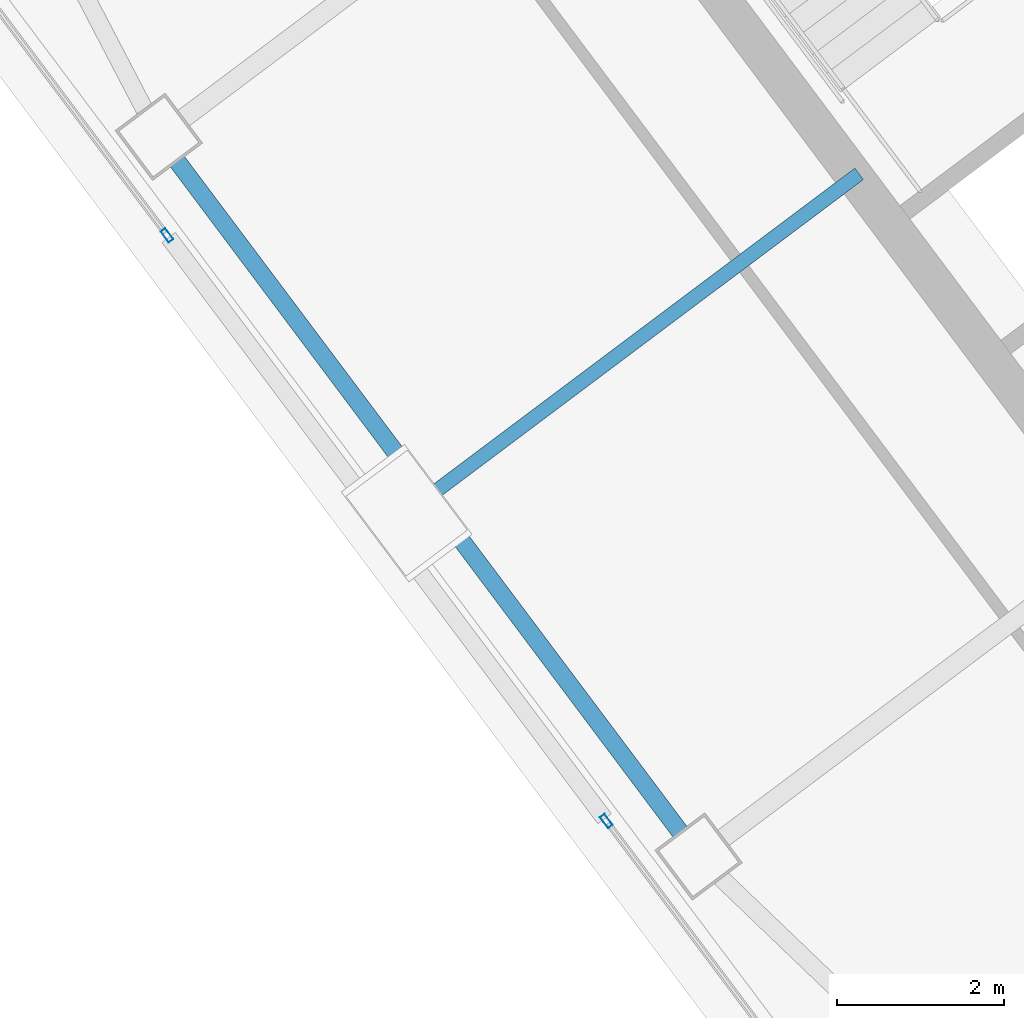
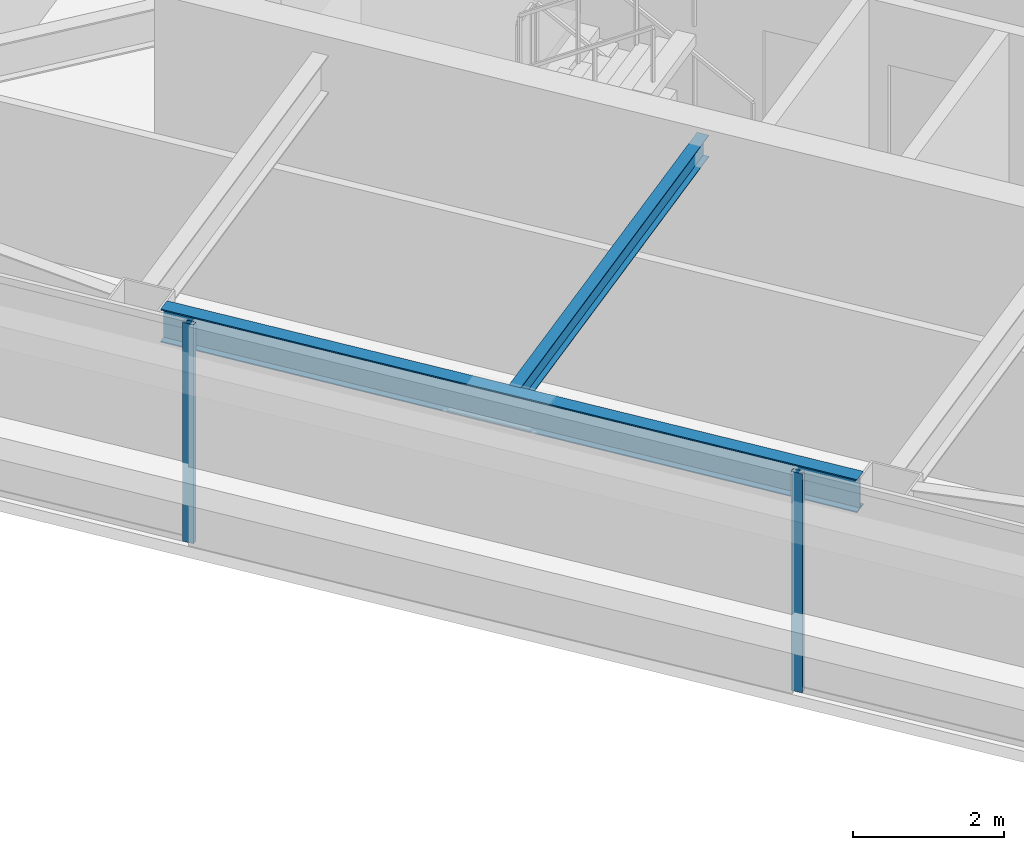
# One storey, part 16 of 39: 2 beams, 2 members, 2 elements without a shape of their own.
"""IFC4 building model written with IfcOpenShell, lengths in metres."""

from ifc_helpers import new_model, si_unit, direction, frame, origin, origin_2d, place, context, subcontext, project, spatial, hollow_rectangle, i_section, extrude, material, material_profile, profile_set, type_object, element, aggregate, save


model = new_model("IFC4")

# Units and contexts
model_context = context("Model", 3, precision=1e-05, world=origin(), true_north=direction((0.0, 1.0)))
body_context = subcontext(model_context, "Body", "Model", "MODEL_VIEW")
ifc_project = project(units=[si_unit("LENGTHUNIT", "METRE"), si_unit("AREAUNIT", "SQUARE_METRE"), si_unit("VOLUMEUNIT", "CUBIC_METRE"), si_unit("PLANEANGLEUNIT", "RADIAN"), si_unit("MASSUNIT", "GRAM", prefix="KILO")], contexts=[model_context])

# Site, building, storey
site_placement = place(None, origin())
site = spatial("IfcSite", under=ifc_project, at=site_placement, CompositionType="ELEMENT")
building_placement = place(site_placement, origin())
building = spatial("IfcBuilding", under=site, at=building_placement, Name="Tashvorn Skyway Center", CompositionType="ELEMENT")
storey_placement = place(building_placement, frame((0.0, 0.0, 243.25)))
storey = spatial("IfcBuildingStorey", under=building, at=storey_placement, Name="L66", CompositionType="ELEMENT", Elevation=243.25)

# Beams
ifc_material_1 = material(Name="Steel ASTM A992 Grade 50", Category="steel")
ifc_material_profile_1 = material_profile(ifc_material_1, i_section(OverallWidth=0.1708984375, OverallDepth=0.35498046875, WebThickness=0.007080078125, FlangeThickness=0.01171875, at=origin_2d()), Name="W14X34")
ifc_profile_set_1 = profile_set([ifc_material_profile_1], Name="Steel ASTM A992 Grade 50")
beam_type_1 = type_object("IfcBeamType", Name="BM-JOIST-W14X34", PredefinedType="JOIST", material=ifc_profile_set_1)
beam_1_placement = place(storey_placement, frame((107.76806640625, 27.325927734375, 3.072509765625), z_axis=(-0.800013813639, -0.599981581373, 0.0), x_axis=(0.599981581373, -0.800013813639, 0.0)))
element("IfcBeam", 1, at=beam_1_placement, inside=storey, type_object=beam_type_1, Name="Tower 2 L66 Secondary Composite Joist JW", PredefinedType="JOIST", context=body_context, shape_type="SweptSolid", body=[
    extrude(i_section(OverallWidth=0.1708984375, OverallDepth=0.35498046875, WebThickness=0.007080078125, FlangeThickness=0.01171875, at=origin_2d()), origin(), (0.0, 0.0, 1.0), 6.362548828125),
])
ifc_material_profile_2 = material_profile(ifc_material_1, i_section(OverallWidth=0.2109375, OverallDepth=0.5390625, WebThickness=0.01171875, FlangeThickness=0.018798828125, at=origin_2d()), Name="W21X73")
ifc_profile_set_2 = profile_set([ifc_material_profile_2], Name="Steel ASTM A992 Grade 50")
beam_type_2 = type_object("IfcBeamType", Name="BM-SPANDREL-W21X73", PredefinedType="SPANDREL", material=ifc_profile_set_2)
beam_2_placement = place(storey_placement, frame((99.58203125, 27.47412109375, 2.98046875), z_axis=(0.599988351091, -0.800008736549, 0.0), x_axis=(0.800008736549, 0.599988351091, 0.0)))
element("IfcBeam", 2, at=beam_2_placement, inside=storey, type_object=beam_type_2, Name="Tower 2 L66 Spandrel Beam 11", PredefinedType="SPANDREL", context=body_context, shape_type="SweptSolid", body=[
    extrude(i_section(OverallWidth=0.2109375, OverallDepth=0.5390625, WebThickness=0.01171875, FlangeThickness=0.018798828125, at=origin_2d()), origin(), (0.0, 0.0, 1.0), 10.06005859375),
])

# Curtain wall, member
ifc_material_2 = material(Name="Thermally broken bronze-anodized aluminium 6063-T6", Category="aluminium")
curtain_wall_type = type_object("IfcCurtainWallType", Name="CW-CW-Z5", PredefinedType="NOTDEFINED", material=ifc_material_2)
curtain_wall_1_placement = place(storey_placement, origin())
curtain_wall_1 = element("IfcCurtainWall", 3, at=curtain_wall_1_placement, inside=storey, type_object=curtain_wall_type, Name="Tower 2 L66 West Unitised Curtain Wall Glazing Group 1", PredefinedType="NOTDEFINED")
ifc_material_profile_3 = material_profile(ifc_material_2, hollow_rectangle(XDim=0.070068359375, YDim=0.1650390625, WallThickness=0.00390625, at=origin_2d()), Name="ALU-MULL-70x165")
ifc_profile_set_3 = profile_set([ifc_material_profile_3], Name="Thermally broken bronze-anodized aluminium 6063-T6")
member_type = type_object("IfcMemberType", Name="CWM-CW-Z5", PredefinedType="MULLION", material=ifc_profile_set_3)
member_1_placement = place(storey_placement, frame((104.73291015625, 19.555908203125, 0.0), z_axis=(0.0, 0.0, 1.0), x_axis=(-0.799999999998, -0.600000000002, 0.0)))
member_1 = element("IfcMember", 4, at=member_1_placement, type_object=member_type, Name="CW-Z5 mullion 2", PredefinedType="MULLION", context=body_context, shape_type="SweptSolid", body=[
    extrude(hollow_rectangle(XDim=0.070068359375, YDim=0.1650390625, WallThickness=0.00390625, at=origin_2d()), origin(), (0.0, 0.0, 1.0), 3.550048828125),
])
aggregate(curtain_wall_1, [member_1])

curtain_wall_2_placement = place(storey_placement, origin())
curtain_wall_2 = element("IfcCurtainWall", 5, at=curtain_wall_2_placement, inside=storey, type_object=curtain_wall_type, Name="Tower 2 L66 West Unitised Curtain Wall Glazing Group 2", PredefinedType="NOTDEFINED")
member_2_placement = place(storey_placement, frame((99.458984375, 26.587890625, 0.0), z_axis=(0.0, 0.0, 1.0), x_axis=(-0.799999999998, -0.600000000002, 0.0)))
member_2 = element("IfcMember", 6, at=member_2_placement, type_object=member_type, Name="CW-Z5 mullion 1", PredefinedType="MULLION", context=body_context, shape_type="SweptSolid", body=[
    extrude(hollow_rectangle(XDim=0.070068359375, YDim=0.1650390625, WallThickness=0.00390625, at=origin_2d()), origin(), (0.0, 0.0, 1.0), 3.550048828125),
])
aggregate(curtain_wall_2, [member_2])

save(model, "model.ifc")
